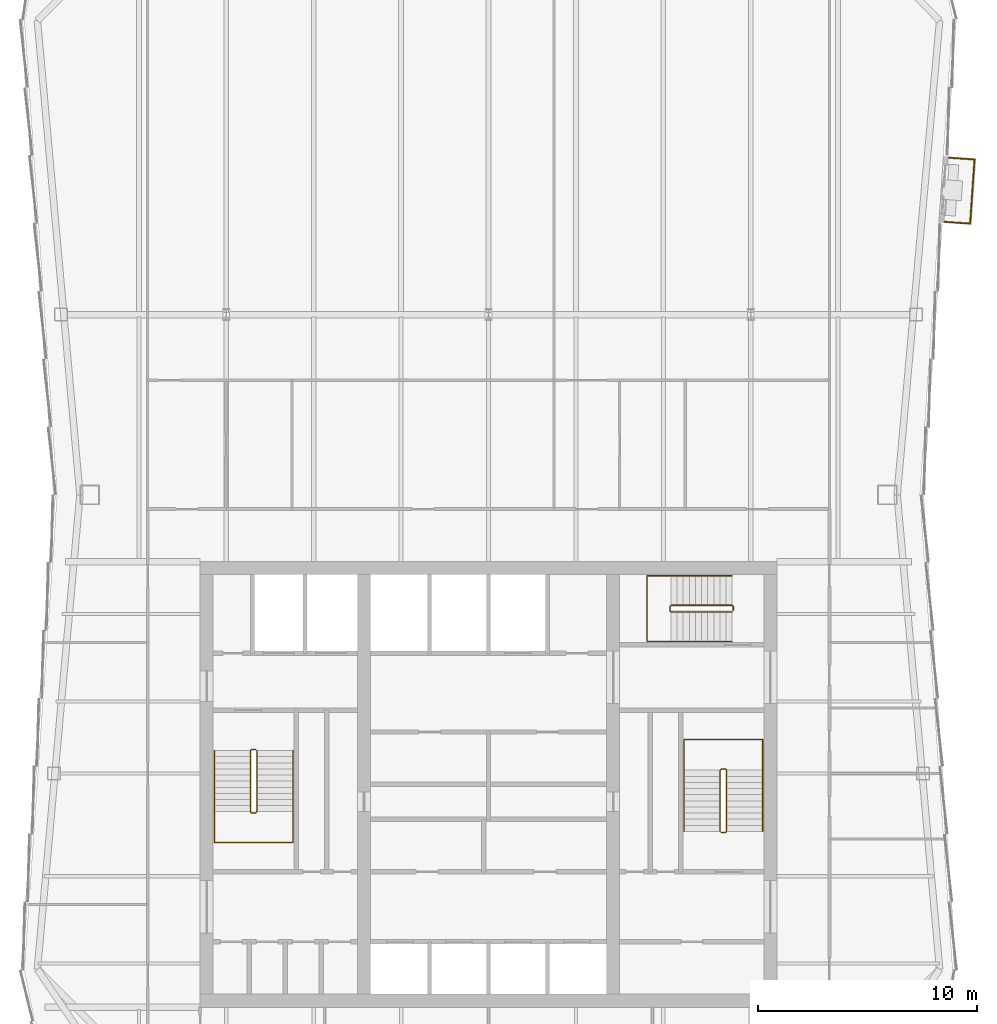
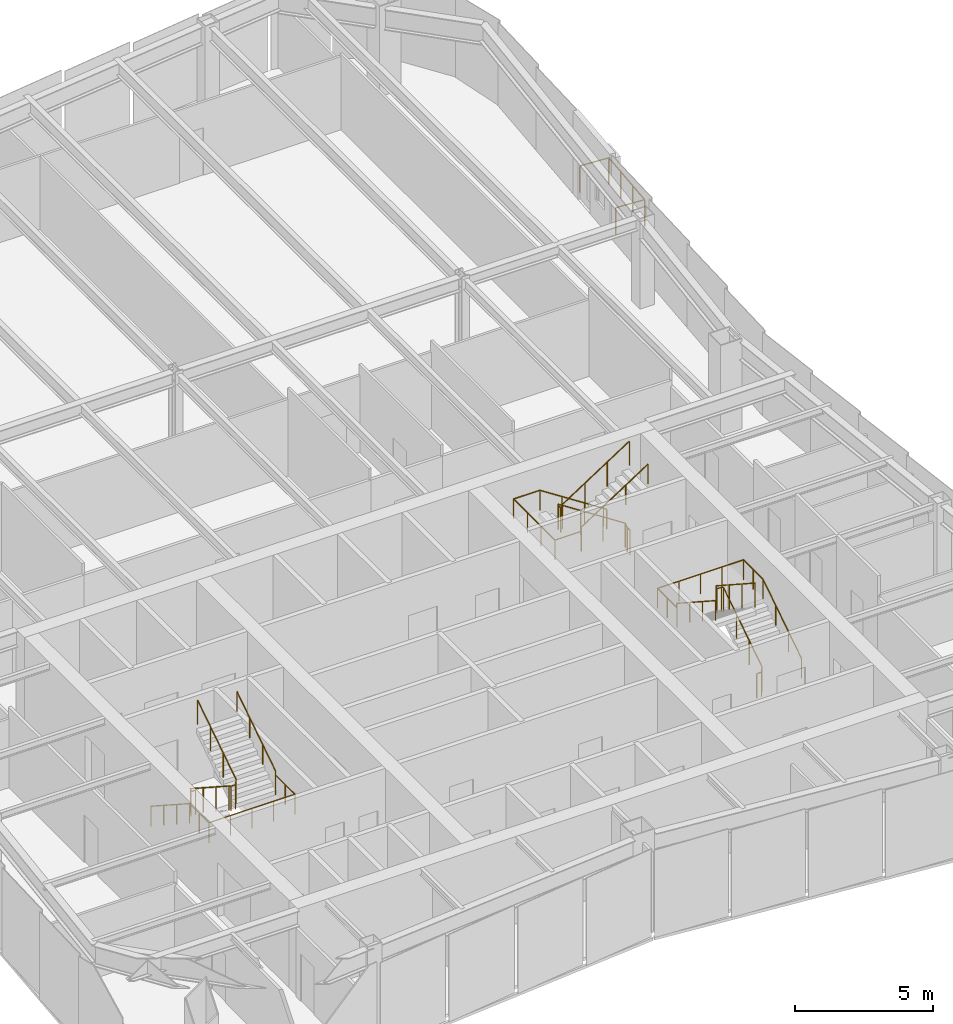
# One storey, part 10 of 11: 7 railings.
"""IFC4 building model written with IfcOpenShell, lengths in metres."""

from ifc_helpers import new_model, si_unit, direction, frame, origin, origin_2d, place, context, subcontext, project, spatial, circle, extrude, material, type_object, element, save


model = new_model("IFC4")

# Units and contexts
model_context = context("Model", 3, precision=1e-05, world=origin(), true_north=direction((0.0, 1.0)))
body_context = subcontext(model_context, "Body", "Model", "MODEL_VIEW")
ifc_project = project(units=[si_unit("LENGTHUNIT", "METRE"), si_unit("AREAUNIT", "SQUARE_METRE"), si_unit("VOLUMEUNIT", "CUBIC_METRE"), si_unit("PLANEANGLEUNIT", "RADIAN"), si_unit("MASSUNIT", "GRAM", prefix="KILO")], contexts=[model_context])

# Site, building, storey
site_placement = place(None, origin())
site = spatial("IfcSite", under=ifc_project, at=site_placement, CompositionType="ELEMENT")
building_placement = place(site_placement, origin())
building = spatial("IfcBuilding", under=site, at=building_placement, Name="Verdant Reach Tower", CompositionType="ELEMENT")
storey_placement = place(building_placement, frame((0.0, 0.0, 298.0)))
storey = spatial("IfcBuildingStorey", under=building, at=storey_placement, Name="L68", CompositionType="ELEMENT", Elevation=298.0)

# Railings
ifc_material_1 = material(Name="Stainless steel", Category="steel")
railing_type_1 = type_object("IfcRailingType", Name="CO-GUARD", PredefinedType="GUARDRAIL", material=ifc_material_1)
railing_1_placement = place(storey_placement, frame((-10.64990234375, 29.60009765625, 0.0)))
element("IfcRailing", 1, at=railing_1_placement, inside=storey, type_object=railing_type_1, Name="L68 ST-1 stair guard 1", PredefinedType="GUARDRAIL", context=body_context, shape_type="SweptSolid", body=[
    extrude(circle(Radius=0.02392578125, at=origin_2d()), frame((0.0, 0.0, 1.076171875), z_axis=(-1.0, 0.0, 0.0), x_axis=(0.0, -1.0, 0.0)), (0.0, 0.0, 1.0), 0.2001953125),
    extrude(circle(Radius=0.02392578125, at=origin_2d()), frame((-0.2001953125, 0.0, 1.076171875), z_axis=(-0.25526617399, -0.256517478764, 0.932222056972), x_axis=(0.708833529934, -0.705375805398, 0.0)), (0.0, 0.0, 1.0), 0.195068359375),
    extrude(circle(Radius=0.02392578125, at=origin_2d()), frame((-0.25, -0.050048828125, 1.2578125), z_axis=(0.0, -0.838705829183, 0.544584733623), x_axis=(1.0, 0.0, 0.0)), (0.0, 0.0, 1.0), 3.338623046875),
    extrude(circle(Radius=0.02392578125, at=origin_2d()), frame((-0.25, -2.85009765625, 3.076171875), z_axis=(0.705375805398, -0.708833529934, 0.0), x_axis=(0.708833529934, 0.705375805398, 0.0)), (0.0, 0.0, 1.0), 0.070556640625),
    extrude(circle(Radius=0.02392578125, at=origin_2d()), frame((-0.2001953125, -2.900146484375, 3.076171875), z_axis=(1.0, 0.0, 0.0), x_axis=(0.0, 1.0, 0.0)), (0.0, 0.0, 1.0), 0.2001953125),
    extrude(circle(Radius=0.02392578125, at=origin_2d()), frame((0.0, -2.900146484375, 3.076171875), z_axis=(0.25526617399, 0.256517478764, 0.932222056972), x_axis=(-0.708833529934, 0.705375805398, 0.0)), (0.0, 0.0, 1.0), 0.195068359375),
    extrude(circle(Radius=0.02392578125, at=origin_2d()), frame((0.0498046875, -2.85009765625, 3.2578125), z_axis=(0.0, 0.838705829183, 0.544584733623), x_axis=(-1.0, 0.0, 0.0)), (0.0, 0.0, 1.0), 3.338623046875),
    extrude(circle(Radius=0.02099609375, at=origin_2d()), origin(), (0.0, 0.0, 1.0), 1.052001953125),
    extrude(circle(Radius=0.02099609375, at=origin_2d()), frame((-0.2001953125, 0.0, 0.0)), (0.0, 0.0, 1.0), 1.052001953125),
    extrude(circle(Radius=0.02099609375, at=origin_2d()), frame((-0.25, -0.050048828125, 0.181884765625)), (0.0, 0.0, 1.0), 1.052001953125),
    extrude(circle(Radius=0.02099609375, at=origin_2d()), frame((-0.25, -0.9833984375, 0.787841796875)), (0.0, 0.0, 1.0), 1.052001953125),
    extrude(circle(Radius=0.02099609375, at=origin_2d()), frame((-0.25, -1.916748046875, 1.39404296875)), (0.0, 0.0, 1.0), 1.052001953125),
    extrude(circle(Radius=0.02099609375, at=origin_2d()), frame((-0.25, -2.85009765625, 2.0)), (0.0, 0.0, 1.0), 1.052001953125),
    extrude(circle(Radius=0.02099609375, at=origin_2d()), frame((-0.2001953125, -2.900146484375, 2.0)), (0.0, 0.0, 1.0), 1.052001953125),
    extrude(circle(Radius=0.02099609375, at=origin_2d()), frame((0.0, -2.900146484375, 2.0)), (0.0, 0.0, 1.0), 1.052001953125),
    extrude(circle(Radius=0.02099609375, at=origin_2d()), frame((0.0498046875, -2.85009765625, 2.181884765625)), (0.0, 0.0, 1.0), 1.052001953125),
    extrude(circle(Radius=0.02099609375, at=origin_2d()), frame((0.0498046875, -1.916748046875, 2.787841796875)), (0.0, 0.0, 1.0), 1.052001953125),
    extrude(circle(Radius=0.02099609375, at=origin_2d()), frame((0.0498046875, -0.9833984375, 3.39404296875)), (0.0, 0.0, 1.0), 1.052001953125),
    extrude(circle(Radius=0.02099609375, at=origin_2d()), frame((0.0498046875, -0.050048828125, 4.0)), (0.0, 0.0, 1.0), 1.052001953125),
])
railing_2_placement = place(storey_placement, frame((10.64990234375, 25.800048828125, 0.0)))
element("IfcRailing", 2, at=railing_2_placement, inside=storey, type_object=railing_type_1, Name="L68 ST-2 stair guard 1", PredefinedType="GUARDRAIL", context=body_context, shape_type="SweptSolid", body=[
    extrude(circle(Radius=0.02392578125, at=origin_2d()), frame((0.0, 0.0, 1.076171875), z_axis=(1.0, 0.0, 0.0), x_axis=(0.0, 1.0, 0.0)), (0.0, 0.0, 1.0), 0.2001953125),
    extrude(circle(Radius=0.02392578125, at=origin_2d()), frame((0.2001953125, 0.0, 1.076171875), z_axis=(0.25526617399, 0.256517478764, 0.932222056972), x_axis=(-0.708833529934, 0.705375805398, 0.0)), (0.0, 0.0, 1.0), 0.195068359375),
    extrude(circle(Radius=0.02392578125, at=origin_2d()), frame((0.25, 0.050048828125, 1.2578125), z_axis=(0.0, 0.83868413941, 0.544618136222), x_axis=(-1.0, 0.0, 0.0)), (0.0, 0.0, 1.0), 3.33837890625),
    extrude(circle(Radius=0.02392578125, at=origin_2d()), frame((0.25, 2.849853515625, 3.076171875), z_axis=(-0.705375805398, 0.708833529934, 0.0), x_axis=(-0.708833529934, -0.705375805398, 0.0)), (0.0, 0.0, 1.0), 0.070556640625),
    extrude(circle(Radius=0.02392578125, at=origin_2d()), frame((0.2001953125, 2.89990234375, 3.076171875), z_axis=(-1.0, 0.0, 0.0), x_axis=(0.0, -1.0, 0.0)), (0.0, 0.0, 1.0), 0.2001953125),
    extrude(circle(Radius=0.02392578125, at=origin_2d()), frame((0.0, 2.89990234375, 3.076171875), z_axis=(-0.25526617399, -0.256517478764, 0.932222056972), x_axis=(0.708833529934, -0.705375805398, 0.0)), (0.0, 0.0, 1.0), 0.195068359375),
    extrude(circle(Radius=0.02392578125, at=origin_2d()), frame((-0.0498046875, 2.849853515625, 3.2578125), z_axis=(0.0, -0.83868413941, 0.544618136222), x_axis=(1.0, 0.0, 0.0)), (0.0, 0.0, 1.0), 3.33837890625),
    extrude(circle(Radius=0.02099609375, at=origin_2d()), origin(), (0.0, 0.0, 1.0), 1.052001953125),
    extrude(circle(Radius=0.02099609375, at=origin_2d()), frame((0.2001953125, 0.0, 0.0)), (0.0, 0.0, 1.0), 1.052001953125),
    extrude(circle(Radius=0.02099609375, at=origin_2d()), frame((0.25, 0.050048828125, 0.181884765625)), (0.0, 0.0, 1.0), 1.052001953125),
    extrude(circle(Radius=0.02099609375, at=origin_2d()), frame((0.25, 0.9833984375, 0.787841796875)), (0.0, 0.0, 1.0), 1.052001953125),
    extrude(circle(Radius=0.02099609375, at=origin_2d()), frame((0.25, 1.91650390625, 1.39404296875)), (0.0, 0.0, 1.0), 1.052001953125),
    extrude(circle(Radius=0.02099609375, at=origin_2d()), frame((0.25, 2.849853515625, 2.0)), (0.0, 0.0, 1.0), 1.052001953125),
    extrude(circle(Radius=0.02099609375, at=origin_2d()), frame((0.2001953125, 2.89990234375, 2.0)), (0.0, 0.0, 1.0), 1.052001953125),
    extrude(circle(Radius=0.02099609375, at=origin_2d()), frame((0.0, 2.89990234375, 2.0)), (0.0, 0.0, 1.0), 1.052001953125),
    extrude(circle(Radius=0.02099609375, at=origin_2d()), frame((-0.0498046875, 2.849853515625, 2.181884765625)), (0.0, 0.0, 1.0), 1.052001953125),
    extrude(circle(Radius=0.02099609375, at=origin_2d()), frame((-0.0498046875, 1.91650390625, 2.787841796875)), (0.0, 0.0, 1.0), 1.052001953125),
    extrude(circle(Radius=0.02099609375, at=origin_2d()), frame((-0.0498046875, 0.9833984375, 3.39404296875)), (0.0, 0.0, 1.0), 1.052001953125),
    extrude(circle(Radius=0.02099609375, at=origin_2d()), frame((-0.0498046875, 0.050048828125, 4.0)), (0.0, 0.0, 1.0), 1.052001953125),
])
railing_3_placement = place(storey_placement, frame((11.199951171875, 35.949951171875, 0.0)))
element("IfcRailing", 3, at=railing_3_placement, inside=storey, type_object=railing_type_1, Name="L68 ST-3 stair guard 1", PredefinedType="GUARDRAIL", context=body_context, shape_type="SweptSolid", body=[
    extrude(circle(Radius=0.02392578125, at=origin_2d()), frame((0.0, 0.0, 1.076171875), z_axis=(0.0, 1.0, 0.0), x_axis=(-1.0, 0.0, 0.0)), (0.0, 0.0, 1.0), 0.199951171875),
    extrude(circle(Radius=0.02392578125, at=origin_2d()), frame((0.0, 0.199951171875, 1.076171875), z_axis=(-0.256435381639, 0.256435381639, 0.931923704005), x_axis=(-0.707106781187, -0.707106781187, 0.0)), (0.0, 0.0, 1.0), 0.195068359375),
    extrude(circle(Radius=0.02392578125, at=origin_2d()), frame((-0.050048828125, 0.25, 1.2578125), z_axis=(-0.83868413941, 0.0, 0.544618136222), x_axis=(0.0, -1.0, 0.0)), (0.0, 0.0, 1.0), 3.33837890625),
    extrude(circle(Radius=0.02392578125, at=origin_2d()), frame((-2.849853515625, 0.25, 3.076171875), z_axis=(-0.707106781187, -0.707106781187, 0.0), x_axis=(0.707106781187, -0.707106781187, 0.0)), (0.0, 0.0, 1.0), 0.07080078125),
    extrude(circle(Radius=0.02392578125, at=origin_2d()), frame((-2.89990234375, 0.199951171875, 3.076171875), z_axis=(0.0, -1.0, 0.0), x_axis=(1.0, 0.0, 0.0)), (0.0, 0.0, 1.0), 0.199951171875),
    extrude(circle(Radius=0.02392578125, at=origin_2d()), frame((-2.89990234375, 0.0, 3.076171875), z_axis=(0.256435381639, -0.256435381639, 0.931923704005), x_axis=(0.707106781187, 0.707106781187, 0.0)), (0.0, 0.0, 1.0), 0.195068359375),
    extrude(circle(Radius=0.02392578125, at=origin_2d()), frame((-2.849853515625, -0.050048828125, 3.2578125), z_axis=(0.83868413941, 0.0, 0.544618136222), x_axis=(0.0, 1.0, 0.0)), (0.0, 0.0, 1.0), 3.33837890625),
    extrude(circle(Radius=0.02099609375, at=origin_2d()), origin(), (0.0, 0.0, 1.0), 1.052001953125),
    extrude(circle(Radius=0.02099609375, at=origin_2d()), frame((0.0, 0.199951171875, 0.0)), (0.0, 0.0, 1.0), 1.052001953125),
    extrude(circle(Radius=0.02099609375, at=origin_2d()), frame((-0.050048828125, 0.25, 0.181884765625)), (0.0, 0.0, 1.0), 1.052001953125),
    extrude(circle(Radius=0.02099609375, at=origin_2d()), frame((-0.9833984375, 0.25, 0.787841796875)), (0.0, 0.0, 1.0), 1.052001953125),
    extrude(circle(Radius=0.02099609375, at=origin_2d()), frame((-1.91650390625, 0.25, 1.39404296875)), (0.0, 0.0, 1.0), 1.052001953125),
    extrude(circle(Radius=0.02099609375, at=origin_2d()), frame((-2.849853515625, 0.25, 2.0)), (0.0, 0.0, 1.0), 1.052001953125),
    extrude(circle(Radius=0.02099609375, at=origin_2d()), frame((-2.89990234375, 0.199951171875, 2.0)), (0.0, 0.0, 1.0), 1.052001953125),
    extrude(circle(Radius=0.02099609375, at=origin_2d()), frame((-2.89990234375, 0.0, 2.0)), (0.0, 0.0, 1.0), 1.052001953125),
    extrude(circle(Radius=0.02099609375, at=origin_2d()), frame((-2.849853515625, -0.050048828125, 2.181884765625)), (0.0, 0.0, 1.0), 1.052001953125),
    extrude(circle(Radius=0.02099609375, at=origin_2d()), frame((-1.91650390625, -0.050048828125, 2.787841796875)), (0.0, 0.0, 1.0), 1.052001953125),
    extrude(circle(Radius=0.02099609375, at=origin_2d()), frame((-0.9833984375, -0.050048828125, 3.39404296875)), (0.0, 0.0, 1.0), 1.052001953125),
    extrude(circle(Radius=0.02099609375, at=origin_2d()), frame((-0.050048828125, -0.050048828125, 4.0)), (0.0, 0.0, 1.0), 1.052001953125),
])
railing_type_2 = type_object("IfcRailingType", Name="CO-HANDRAIL", PredefinedType="HANDRAIL", material=ifc_material_1)
railing_4_placement = place(storey_placement, frame((-12.550048828125, 29.550048828125, 0.181884765625)))
element("IfcRailing", 4, at=railing_4_placement, inside=storey, type_object=railing_type_2, Name="L68 ST-1 stair handrail 1", PredefinedType="HANDRAIL", context=body_context, shape_type="SweptSolid", body=[
    extrude(circle(Radius=0.02392578125, at=origin_2d()), frame((0.0, 0.0, 0.8759765625), z_axis=(0.0, -0.838705829183, 0.544584733623), x_axis=(1.0, 0.0, 0.0)), (0.0, 0.0, 1.0), 3.338623046875),
    extrude(circle(Radius=0.02392578125, at=origin_2d()), frame((0.0, -2.800048828125, 2.69384765625), z_axis=(0.0, -1.0, 0.0), x_axis=(1.0, 0.0, 0.0)), (0.0, 0.0, 1.0), 1.39990234375),
    extrude(circle(Radius=0.02392578125, at=origin_2d()), frame((0.0, -4.199951171875, 2.69384765625), z_axis=(1.0, 0.0, 0.0), x_axis=(0.0, 1.0, 0.0)), (0.0, 0.0, 1.0), 3.60009765625),
    extrude(circle(Radius=0.02392578125, at=origin_2d()), frame((3.60009765625, -4.199951171875, 2.69384765625), z_axis=(0.0, 1.0, 0.0), x_axis=(-1.0, 0.0, 0.0)), (0.0, 0.0, 1.0), 1.39990234375),
    extrude(circle(Radius=0.02392578125, at=origin_2d()), frame((3.60009765625, -2.800048828125, 2.69384765625), z_axis=(0.0, 0.0, 1.0), x_axis=(1.0, 0.0, 0.0)), (0.0, 0.0, 1.0), 0.181884765625),
    extrude(circle(Radius=0.02392578125, at=origin_2d()), frame((3.60009765625, -2.800048828125, 2.8759765625), z_axis=(0.0, 0.838705829183, 0.544584733623), x_axis=(-1.0, 0.0, 0.0)), (0.0, 0.0, 1.0), 3.338623046875),
    extrude(circle(Radius=0.02099609375, at=origin_2d()), origin(), (0.0, 0.0, 1.0), 0.851806640625),
    extrude(circle(Radius=0.02099609375, at=origin_2d()), frame((0.0, -0.933349609375, 0.60595703125)), (0.0, 0.0, 1.0), 0.851806640625),
    extrude(circle(Radius=0.02099609375, at=origin_2d()), frame((0.0, -1.86669921875, 1.212158203125)), (0.0, 0.0, 1.0), 0.851806640625),
    extrude(circle(Radius=0.02099609375, at=origin_2d()), frame((0.0, -2.800048828125, 1.818115234375)), (0.0, 0.0, 1.0), 0.851806640625),
    extrude(circle(Radius=0.02099609375, at=origin_2d()), frame((0.0, -3.5, 1.818115234375)), (0.0, 0.0, 1.0), 0.851806640625),
    extrude(circle(Radius=0.02099609375, at=origin_2d()), frame((0.0, -4.199951171875, 1.818115234375)), (0.0, 0.0, 1.0), 0.851806640625),
    extrude(circle(Radius=0.02099609375, at=origin_2d()), frame((0.89990234375, -4.199951171875, 1.818115234375)), (0.0, 0.0, 1.0), 0.851806640625),
    extrude(circle(Radius=0.02099609375, at=origin_2d()), frame((1.800048828125, -4.199951171875, 1.818115234375)), (0.0, 0.0, 1.0), 0.851806640625),
    extrude(circle(Radius=0.02099609375, at=origin_2d()), frame((2.7001953125, -4.199951171875, 1.818115234375)), (0.0, 0.0, 1.0), 0.851806640625),
    extrude(circle(Radius=0.02099609375, at=origin_2d()), frame((3.60009765625, -4.199951171875, 1.818115234375)), (0.0, 0.0, 1.0), 0.851806640625),
    extrude(circle(Radius=0.02099609375, at=origin_2d()), frame((3.60009765625, -3.5, 1.818115234375)), (0.0, 0.0, 1.0), 0.851806640625),
    extrude(circle(Radius=0.02099609375, at=origin_2d()), frame((3.60009765625, -2.800048828125, 1.818115234375)), (0.0, 0.0, 1.0), 0.851806640625),
    extrude(circle(Radius=0.02099609375, at=origin_2d()), frame((3.60009765625, -2.800048828125, 2.0)), (0.0, 0.0, 1.0), 0.851806640625),
    extrude(circle(Radius=0.02099609375, at=origin_2d()), frame((3.60009765625, -1.86669921875, 2.60595703125)), (0.0, 0.0, 1.0), 0.851806640625),
    extrude(circle(Radius=0.02099609375, at=origin_2d()), frame((3.60009765625, -0.933349609375, 3.212158203125)), (0.0, 0.0, 1.0), 0.851806640625),
    extrude(circle(Radius=0.02099609375, at=origin_2d()), frame((3.60009765625, 0.0, 3.818115234375)), (0.0, 0.0, 1.0), 0.851806640625),
])
railing_5_placement = place(storey_placement, frame((12.550048828125, 25.85009765625, 0.181884765625)))
element("IfcRailing", 5, at=railing_5_placement, inside=storey, type_object=railing_type_2, Name="L68 ST-2 stair handrail 1", PredefinedType="HANDRAIL", context=body_context, shape_type="SweptSolid", body=[
    extrude(circle(Radius=0.02392578125, at=origin_2d()), frame((0.0, 0.0, 0.8759765625), z_axis=(0.0, 0.83868413941, 0.544618136222), x_axis=(-1.0, 0.0, 0.0)), (0.0, 0.0, 1.0), 3.33837890625),
    extrude(circle(Radius=0.02392578125, at=origin_2d()), frame((0.0, 2.7998046875, 2.69384765625), z_axis=(0.0, 1.0, 0.0), x_axis=(-1.0, 0.0, 0.0)), (0.0, 0.0, 1.0), 1.400146484375),
    extrude(circle(Radius=0.02392578125, at=origin_2d()), frame((0.0, 4.199951171875, 2.69384765625), z_axis=(-1.0, 0.0, 0.0), x_axis=(0.0, -1.0, 0.0)), (0.0, 0.0, 1.0), 3.60009765625),
    extrude(circle(Radius=0.02392578125, at=origin_2d()), frame((-3.60009765625, 4.199951171875, 2.69384765625), z_axis=(0.0, -1.0, 0.0), x_axis=(1.0, 0.0, 0.0)), (0.0, 0.0, 1.0), 1.400146484375),
    extrude(circle(Radius=0.02392578125, at=origin_2d()), frame((-3.60009765625, 2.7998046875, 2.69384765625), z_axis=(0.0, 0.0, 1.0), x_axis=(1.0, 0.0, 0.0)), (0.0, 0.0, 1.0), 0.181884765625),
    extrude(circle(Radius=0.02392578125, at=origin_2d()), frame((-3.60009765625, 2.7998046875, 2.8759765625), z_axis=(0.0, -0.83868413941, 0.544618136222), x_axis=(1.0, 0.0, 0.0)), (0.0, 0.0, 1.0), 3.33837890625),
    extrude(circle(Radius=0.02099609375, at=origin_2d()), origin(), (0.0, 0.0, 1.0), 0.851806640625),
    extrude(circle(Radius=0.02099609375, at=origin_2d()), frame((0.0, 0.933349609375, 0.60595703125)), (0.0, 0.0, 1.0), 0.851806640625),
    extrude(circle(Radius=0.02099609375, at=origin_2d()), frame((0.0, 1.866455078125, 1.212158203125)), (0.0, 0.0, 1.0), 0.851806640625),
    extrude(circle(Radius=0.02099609375, at=origin_2d()), frame((0.0, 2.7998046875, 1.818115234375)), (0.0, 0.0, 1.0), 0.851806640625),
    extrude(circle(Radius=0.02099609375, at=origin_2d()), frame((0.0, 3.5, 1.818115234375)), (0.0, 0.0, 1.0), 0.851806640625),
    extrude(circle(Radius=0.02099609375, at=origin_2d()), frame((0.0, 4.199951171875, 1.818115234375)), (0.0, 0.0, 1.0), 0.851806640625),
    extrude(circle(Radius=0.02099609375, at=origin_2d()), frame((-0.89990234375, 4.199951171875, 1.818115234375)), (0.0, 0.0, 1.0), 0.851806640625),
    extrude(circle(Radius=0.02099609375, at=origin_2d()), frame((-1.800048828125, 4.199951171875, 1.818115234375)), (0.0, 0.0, 1.0), 0.851806640625),
    extrude(circle(Radius=0.02099609375, at=origin_2d()), frame((-2.7001953125, 4.199951171875, 1.818115234375)), (0.0, 0.0, 1.0), 0.851806640625),
    extrude(circle(Radius=0.02099609375, at=origin_2d()), frame((-3.60009765625, 4.199951171875, 1.818115234375)), (0.0, 0.0, 1.0), 0.851806640625),
    extrude(circle(Radius=0.02099609375, at=origin_2d()), frame((-3.60009765625, 3.5, 1.818115234375)), (0.0, 0.0, 1.0), 0.851806640625),
    extrude(circle(Radius=0.02099609375, at=origin_2d()), frame((-3.60009765625, 2.7998046875, 1.818115234375)), (0.0, 0.0, 1.0), 0.851806640625),
    extrude(circle(Radius=0.02099609375, at=origin_2d()), frame((-3.60009765625, 2.7998046875, 2.0)), (0.0, 0.0, 1.0), 0.851806640625),
    extrude(circle(Radius=0.02099609375, at=origin_2d()), frame((-3.60009765625, 1.866455078125, 2.60595703125)), (0.0, 0.0, 1.0), 0.851806640625),
    extrude(circle(Radius=0.02099609375, at=origin_2d()), frame((-3.60009765625, 0.933349609375, 3.212158203125)), (0.0, 0.0, 1.0), 0.851806640625),
    extrude(circle(Radius=0.02099609375, at=origin_2d()), frame((-3.60009765625, 0.0, 3.818115234375)), (0.0, 0.0, 1.0), 0.851806640625),
])
railing_6_placement = place(storey_placement, frame((11.14990234375, 37.550048828125, 0.181884765625)))
element("IfcRailing", 6, at=railing_6_placement, inside=storey, type_object=railing_type_2, Name="L68 ST-3 stair handrail 1", PredefinedType="HANDRAIL", context=body_context, shape_type="SweptSolid", body=[
    extrude(circle(Radius=0.02392578125, at=origin_2d()), frame((0.0, 0.0, 0.8759765625), z_axis=(-0.83868413941, 0.0, 0.544618136222), x_axis=(0.0, -1.0, 0.0)), (0.0, 0.0, 1.0), 3.33837890625),
    extrude(circle(Radius=0.02392578125, at=origin_2d()), frame((-2.7998046875, 0.0, 2.69384765625), z_axis=(-1.0, 0.0, 0.0), x_axis=(0.0, -1.0, 0.0)), (0.0, 0.0, 1.0), 1.10009765625),
    extrude(circle(Radius=0.02392578125, at=origin_2d()), frame((-3.89990234375, 0.0, 2.69384765625), z_axis=(0.0, -1.0, 0.0), x_axis=(1.0, 0.0, 0.0)), (0.0, 0.0, 1.0), 3.0),
    extrude(circle(Radius=0.02392578125, at=origin_2d()), frame((-3.89990234375, -3.0, 2.69384765625), z_axis=(1.0, 0.0, 0.0), x_axis=(0.0, 1.0, 0.0)), (0.0, 0.0, 1.0), 1.10009765625),
    extrude(circle(Radius=0.02392578125, at=origin_2d()), frame((-2.7998046875, -3.0, 2.69384765625), z_axis=(0.0, 0.0, 1.0), x_axis=(1.0, 0.0, 0.0)), (0.0, 0.0, 1.0), 0.181884765625),
    extrude(circle(Radius=0.02392578125, at=origin_2d()), frame((-2.7998046875, -3.0, 2.8759765625), z_axis=(0.83868413941, 0.0, 0.544618136222), x_axis=(0.0, 1.0, 0.0)), (0.0, 0.0, 1.0), 3.33837890625),
    extrude(circle(Radius=0.02099609375, at=origin_2d()), origin(), (0.0, 0.0, 1.0), 0.851806640625),
    extrude(circle(Radius=0.02099609375, at=origin_2d()), frame((-0.933349609375, 0.0, 0.60595703125)), (0.0, 0.0, 1.0), 0.851806640625),
    extrude(circle(Radius=0.02099609375, at=origin_2d()), frame((-1.866455078125, 0.0, 1.212158203125)), (0.0, 0.0, 1.0), 0.851806640625),
    extrude(circle(Radius=0.02099609375, at=origin_2d()), frame((-2.7998046875, 0.0, 1.818115234375)), (0.0, 0.0, 1.0), 0.851806640625),
    extrude(circle(Radius=0.02099609375, at=origin_2d()), frame((-3.89990234375, 0.0, 1.818115234375)), (0.0, 0.0, 1.0), 0.851806640625),
    extrude(circle(Radius=0.02099609375, at=origin_2d()), frame((-3.89990234375, -1.0, 1.818115234375)), (0.0, 0.0, 1.0), 0.851806640625),
    extrude(circle(Radius=0.02099609375, at=origin_2d()), frame((-3.89990234375, -2.0, 1.818115234375)), (0.0, 0.0, 1.0), 0.851806640625),
    extrude(circle(Radius=0.02099609375, at=origin_2d()), frame((-3.89990234375, -3.0, 1.818115234375)), (0.0, 0.0, 1.0), 0.851806640625),
    extrude(circle(Radius=0.02099609375, at=origin_2d()), frame((-2.7998046875, -3.0, 1.818115234375)), (0.0, 0.0, 1.0), 0.851806640625),
    extrude(circle(Radius=0.02099609375, at=origin_2d()), frame((-2.7998046875, -3.0, 2.0)), (0.0, 0.0, 1.0), 0.851806640625),
    extrude(circle(Radius=0.02099609375, at=origin_2d()), frame((-1.866455078125, -3.0, 2.60595703125)), (0.0, 0.0, 1.0), 0.851806640625),
    extrude(circle(Radius=0.02099609375, at=origin_2d()), frame((-0.933349609375, -3.0, 3.212158203125)), (0.0, 0.0, 1.0), 0.851806640625),
    extrude(circle(Radius=0.02099609375, at=origin_2d()), frame((0.0, -3.0, 3.818115234375)), (0.0, 0.0, 1.0), 0.851806640625),
])
ifc_material_2 = material(Name="Stainless steel and laminated glass balustrade", Category="steel")
railing_type_3 = type_object("IfcRailingType", Name="EN-RAILING BALCONY", PredefinedType="GUARDRAIL", material=ifc_material_2)
railing_7_placement = place(storey_placement, frame((20.872314453125, 53.745361328125, 0.0)))
element("IfcRailing", 7, at=railing_7_placement, inside=storey, type_object=railing_type_3, Name="Balcony guard 1, L68", PredefinedType="GUARDRAIL", context=body_context, shape_type="SweptSolid", body=[
    extrude(circle(Radius=0.02490234375, at=origin_2d()), frame((0.0, 0.0, 1.1748046875), z_axis=(0.997640688741, -0.068651701861, 0.0), x_axis=(0.068651701861, 0.997640688741, 0.0)), (0.0, 0.0, 1.0), 1.169921875),
    extrude(circle(Radius=0.02490234375, at=origin_2d()), frame((1.167236328125, -0.080322265625, 1.1748046875), z_axis=(0.068819165156, 0.997629150791, 0.0), x_axis=(-0.997629150791, 0.068819165156, 0.0)), (0.0, 0.0, 1.0), 2.944580078125),
    extrude(circle(Radius=0.02490234375, at=origin_2d()), frame((1.369873046875, 2.857177734375, 1.1748046875), z_axis=(-0.997626375729, 0.068859381717, 0.0), x_axis=(-0.068859381717, -0.997626375729, 0.0)), (0.0, 0.0, 1.0), 1.169921875),
    extrude(circle(Radius=0.02490234375, at=origin_2d()), origin(), (0.0, 0.0, 1.0), 1.14990234375),
    extrude(circle(Radius=0.02490234375, at=origin_2d()), frame((1.167236328125, -0.080322265625, 0.0)), (0.0, 0.0, 1.0), 1.14990234375),
    extrude(circle(Radius=0.02490234375, at=origin_2d()), frame((1.23486328125, 0.89892578125, 0.0)), (0.0, 0.0, 1.0), 1.14990234375),
    extrude(circle(Radius=0.02490234375, at=origin_2d()), frame((1.30224609375, 1.8779296875, 0.0)), (0.0, 0.0, 1.0), 1.14990234375),
    extrude(circle(Radius=0.02490234375, at=origin_2d()), frame((1.369873046875, 2.857177734375, 0.0)), (0.0, 0.0, 1.0), 1.14990234375),
    extrude(circle(Radius=0.02490234375, at=origin_2d()), frame((0.20263671875, 2.937744140625, 0.0)), (0.0, 0.0, 1.0), 1.14990234375),
])

save(model, "model.ifc")
